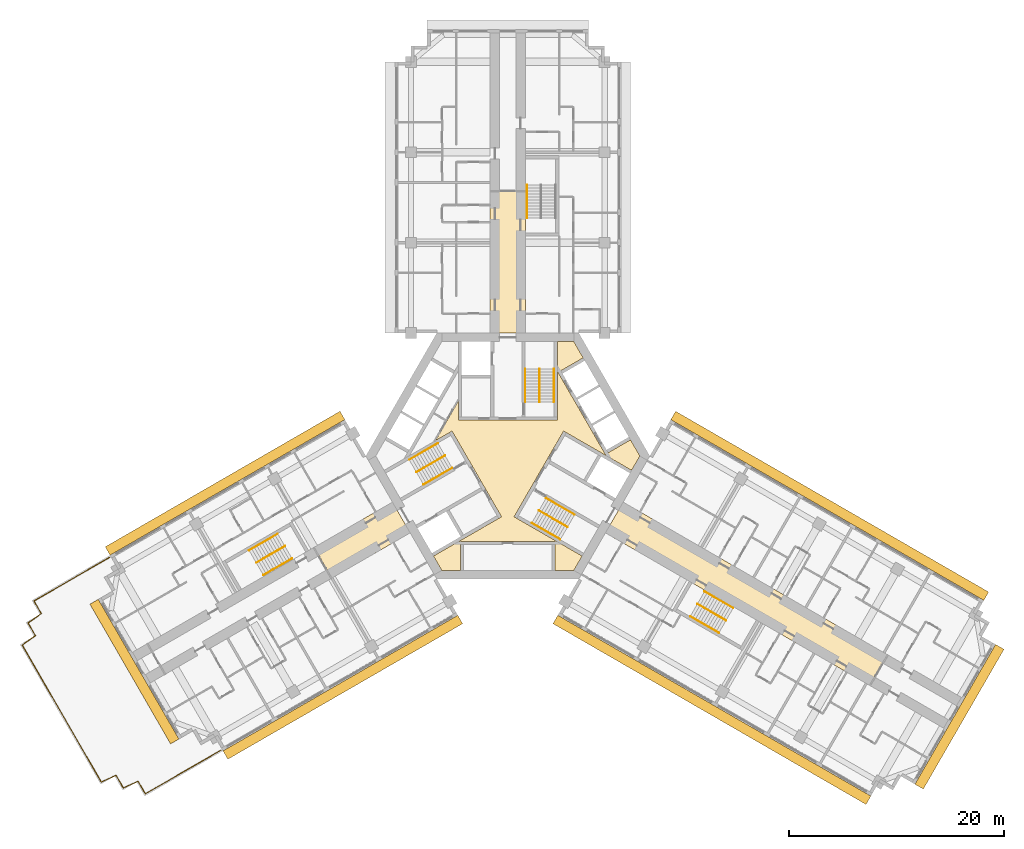
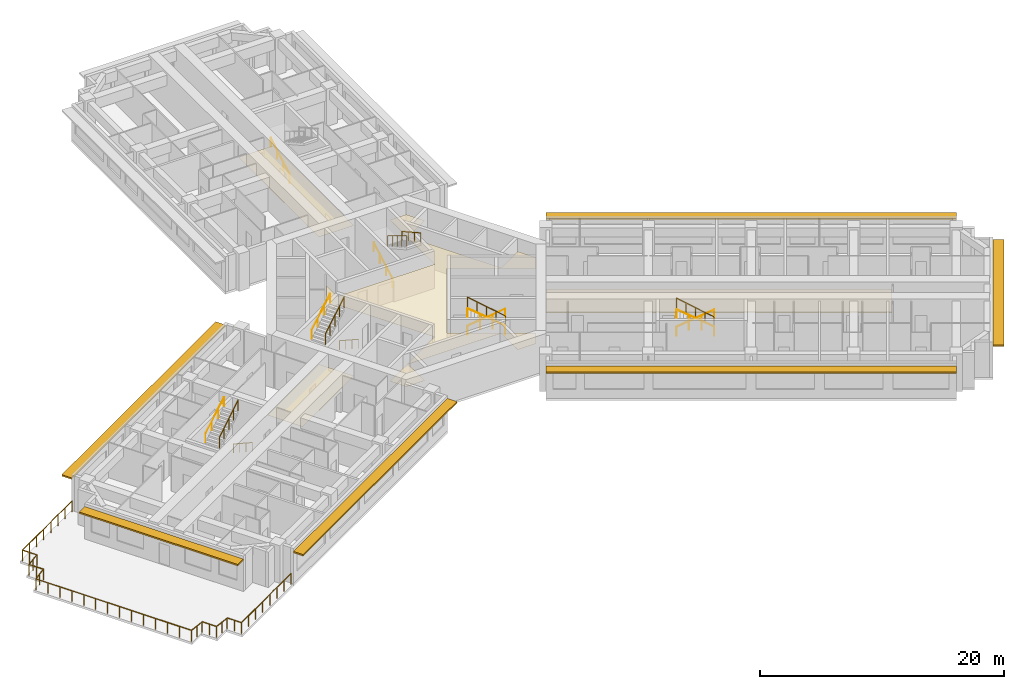
# One storey, part 14 of 15: 17 railings, 4 coverings, 2 shading devices.
"""IFC4 building model written with IfcOpenShell, lengths in metres."""

from ifc_helpers import new_model, si_unit, direction, frame, origin, origin_2d, place, context, subcontext, project, spatial, polyline, rectangle, circle, outline, extrude, material, layer, layer_set, type_object, element, save


model = new_model("IFC4")

# Units and contexts
model_context = context("Model", 3, precision=1e-05, world=origin(), true_north=direction((0.0, 1.0)))
body_context = subcontext(model_context, "Body", "Model", "MODEL_VIEW")
ifc_project = project(units=[si_unit("LENGTHUNIT", "METRE"), si_unit("AREAUNIT", "SQUARE_METRE"), si_unit("VOLUMEUNIT", "CUBIC_METRE"), si_unit("PLANEANGLEUNIT", "RADIAN"), si_unit("MASSUNIT", "GRAM", prefix="KILO")], contexts=[model_context])

# Site, building, storey
site_placement = place(None, origin())
site = spatial("IfcSite", under=ifc_project, at=site_placement, CompositionType="ELEMENT")
building_placement = place(site_placement, origin())
building = spatial("IfcBuilding", under=site, at=building_placement, Name="Impinga Residences", CompositionType="ELEMENT")
storey_placement = place(building_placement, frame((0.0, 0.0, 132.25)))
storey = spatial("IfcBuildingStorey", under=building, at=storey_placement, Name="L32", CompositionType="ELEMENT", Elevation=132.25)

# Coverings
ifc_material_1 = material(Name="Plasterboard 15 mm on steel hangers", Category="steel")
ifc_layer_1 = layer(ifc_material_1, 0.014892578125)
ifc_layer_set_1 = layer_set([ifc_layer_1], Name="Plasterboard 15 mm on steel hangers")
covering_type_1 = type_object("IfcCoveringType", Name="CL1 corridor ceiling, 15 mm plasterboard on hangers", PredefinedType="CEILING", material=ifc_layer_set_1)
covering_1_placement = place(storey_placement, frame((0.0, 0.0, 2.39990234375)))
element("IfcCovering", 1, at=covering_1_placement, inside=storey, type_object=covering_type_1, Name="Corridor ceiling CL1 L32-N00", PredefinedType="CEILING", context=body_context, shape_type="SweptSolid", body=[
    extrude(outline(polyline([(-1.64990234375, 11.431640625), (1.64990234375, 11.431640625), (1.64990234375, 24.58154296875), (-1.64990234375, 24.58154296875), (-1.64990234375, 11.431640625)])), origin(), (0.0, 0.0, 1.0), 0.01513671875),
])
covering_2_placement = place(storey_placement, frame((0.0, 0.0, 2.39990234375)))
element("IfcCovering", 2, at=covering_2_placement, inside=storey, type_object=covering_type_1, Name="Corridor ceiling CL1 L32-W00", PredefinedType="CEILING", context=body_context, shape_type="SweptSolid", body=[
    extrude(outline(polyline([(-10.72509765625, -4.286865234375), (-9.074951171875, -7.144775390625), (-16.35009765625, -11.344970703125), (-18.0, -8.487060546875), (-10.72509765625, -4.286865234375)])), origin(), (0.0, 0.0, 1.0), 0.01513671875),
])
covering_3_placement = place(storey_placement, frame((0.0, 0.0, 2.39990234375)))
element("IfcCovering", 3, at=covering_3_placement, inside=storey, type_object=covering_type_1, Name="Corridor ceiling CL1 L32-E00", PredefinedType="CEILING", context=body_context, shape_type="SweptSolid", body=[
    extrude(outline(polyline([(10.72509765625, -4.286865234375), (9.074951171875, -7.144775390625), (33.626708984375, -21.31982421875), (35.27685546875, -18.4619140625), (10.72509765625, -4.286865234375)])), origin(), (0.0, 0.0, 1.0), 0.01513671875),
])
ifc_material_2 = material(Name="Mineral fibre tiles 20 mm on exposed grid", Category="mineral fibre")
ifc_layer_2 = layer(ifc_material_2, 0.02001953125)
ifc_layer_set_2 = layer_set([ifc_layer_2], Name="CL2 lift lobby ceiling, 20 mm mineral fibre tiles")
covering_type_2 = type_object("IfcCoveringType", Name="CL2 lift lobby ceiling, 20 mm mineral fibre tiles", PredefinedType="CEILING", material=ifc_layer_set_2)
covering_4_placement = place(storey_placement, frame((0.0, 0.0, 2.39990234375)))
element("IfcCovering", 4, at=covering_4_placement, inside=storey, type_object=covering_type_2, Name="Lift lobby ceiling CL2 L32-C01", PredefinedType="CEILING", context=body_context, shape_type="SweptSolid", body=[
    extrude(outline(polyline([(5.183837890625, 2.318603515625), (0.583984375, -5.648681640625), (6.9072265625, -9.299560546875), (6.13818359375, -10.631591796875), (4.39990234375, -10.631591796875), (4.39990234375, -7.931640625), (-4.39990234375, -7.931640625), (-4.39990234375, -10.631591796875), (-6.13818359375, -10.631591796875), (-6.9072265625, -9.299560546875), (-0.583984375, -5.648681640625), (-5.183837890625, 2.318603515625), (-6.712890625, 1.435791015625), (-4.60009765625, 5.095703125), (-4.60009765625, 3.330078125), (4.60009765625, 3.330078125), (4.60009765625, 10.631591796875), (6.13818359375, 10.631591796875), (7.007080078125, 9.126220703125), (4.6689453125, 7.7763671875), (9.06884765625, 0.1552734375), (11.4072265625, 1.50537109375), (12.276123046875, 0.0), (11.507080078125, -1.33203125), (5.183837890625, 2.318603515625)])), origin(), (0.0, 0.0, 1.0), 0.02001953125),
])

# Railings
ifc_material_3 = material(Name="Steel guard, powder coated", Category="steel")
railing_type_1 = type_object("IfcRailingType", Name="GR1 stair guard 1100", PredefinedType="GUARDRAIL", material=ifc_material_3)
railing_1_placement = place(storey_placement, frame((2.949951171875, 8.110107421875, 1.875)))
element("IfcRailing", 5, at=railing_1_placement, inside=storey, type_object=railing_type_1, Name="Stair guard GR1 ST1 L32", PredefinedType="GUARDRAIL", context=body_context, shape_type="SweptSolid", body=[
    extrude(circle(Radius=0.02392578125, at=origin_2d()), frame((0.0, 0.0, 1.076171875), z_axis=(0.0, -0.854177636135, 0.519981313056), x_axis=(1.0, 0.0, 0.0)), (0.0, 0.0, 1.0), 3.60595703125),
    extrude(circle(Radius=0.02099609375, at=origin_2d()), origin(), (0.0, 0.0, 1.0), 1.052001953125),
    extrude(circle(Radius=0.02099609375, at=origin_2d()), frame((0.0, -0.77001953125, 0.46875)), (0.0, 0.0, 1.0), 1.052001953125),
    extrude(circle(Radius=0.02099609375, at=origin_2d()), frame((0.0, -1.5400390625, 0.9375)), (0.0, 0.0, 1.0), 1.052001953125),
    extrude(circle(Radius=0.02099609375, at=origin_2d()), frame((0.0, -2.31005859375, 1.40625)), (0.0, 0.0, 1.0), 1.052001953125),
    extrude(circle(Radius=0.02099609375, at=origin_2d()), frame((0.0, -3.080078125, 1.875)), (0.0, 0.0, 1.0), 1.052001953125),
])
railing_2_placement = place(storey_placement, frame((-8.49853515625, -1.500244140625, 1.875)))
element("IfcRailing", 6, at=railing_2_placement, inside=storey, type_object=railing_type_1, Name="Stair guard GR1 ST2 L32", PredefinedType="GUARDRAIL", context=body_context, shape_type="SweptSolid", body=[
    extrude(circle(Radius=0.02392578125, at=origin_2d()), frame((0.0, 0.0, 1.076171875), z_axis=(0.739746383972, 0.427084037168, 0.519975492303), x_axis=(-0.499992328818, 0.866029832698, 0.0)), (0.0, 0.0, 1.0), 3.60595703125),
    extrude(circle(Radius=0.02099609375, at=origin_2d()), origin(), (0.0, 0.0, 1.0), 1.052001953125),
    extrude(circle(Radius=0.02099609375, at=origin_2d()), frame((0.6669921875, 0.385009765625, 0.46875)), (0.0, 0.0, 1.0), 1.052001953125),
    extrude(circle(Radius=0.02099609375, at=origin_2d()), frame((1.333740234375, 0.77001953125, 0.9375)), (0.0, 0.0, 1.0), 1.052001953125),
    extrude(circle(Radius=0.02099609375, at=origin_2d()), frame((2.00048828125, 1.155029296875, 1.40625)), (0.0, 0.0, 1.0), 1.052001953125),
    extrude(circle(Radius=0.02099609375, at=origin_2d()), frame((2.66748046875, 1.5400390625, 1.875)), (0.0, 0.0, 1.0), 1.052001953125),
])
railing_3_placement = place(storey_placement, frame((5.548583984375, -6.60986328125, 1.875)))
element("IfcRailing", 7, at=railing_3_placement, inside=storey, type_object=railing_type_1, Name="Stair guard GR1 ST3 L32", PredefinedType="GUARDRAIL", context=body_context, shape_type="SweptSolid", body=[
    extrude(circle(Radius=0.02392578125, at=origin_2d()), frame((0.0, 0.0, 1.076171875), z_axis=(-0.739746383972, 0.427084037168, 0.519975492303), x_axis=(-0.499992328818, -0.866029832698, 0.0)), (0.0, 0.0, 1.0), 3.60595703125),
    extrude(circle(Radius=0.02099609375, at=origin_2d()), origin(), (0.0, 0.0, 1.0), 1.052001953125),
    extrude(circle(Radius=0.02099609375, at=origin_2d()), frame((-0.6669921875, 0.385009765625, 0.46875)), (0.0, 0.0, 1.0), 1.052001953125),
    extrude(circle(Radius=0.02099609375, at=origin_2d()), frame((-1.333740234375, 0.77001953125, 0.9375)), (0.0, 0.0, 1.0), 1.052001953125),
    extrude(circle(Radius=0.02099609375, at=origin_2d()), frame((-2.00048828125, 1.155029296875, 1.40625)), (0.0, 0.0, 1.0), 1.052001953125),
    extrude(circle(Radius=0.02099609375, at=origin_2d()), frame((-2.66748046875, 1.5400390625, 1.875)), (0.0, 0.0, 1.0), 1.052001953125),
])
railing_4_placement = place(storey_placement, frame((-23.3837890625, -9.921142578125, 1.875)))
element("IfcRailing", 8, at=railing_4_placement, inside=storey, type_object=railing_type_1, Name="Stair guard GR1 WS2 L32", PredefinedType="GUARDRAIL", context=body_context, shape_type="SweptSolid", body=[
    extrude(circle(Radius=0.02392578125, at=origin_2d()), frame((0.0, 0.0, 1.076171875), z_axis=(0.739715726454, 0.427105428144, 0.52000153585), x_axis=(-0.500026652407, 0.866010015463, 0.0)), (0.0, 0.0, 1.0), 3.605712890625),
    extrude(circle(Radius=0.02099609375, at=origin_2d()), origin(), (0.0, 0.0, 1.0), 1.052001953125),
    extrude(circle(Radius=0.02099609375, at=origin_2d()), frame((0.666748046875, 0.385009765625, 0.46875)), (0.0, 0.0, 1.0), 1.052001953125),
    extrude(circle(Radius=0.02099609375, at=origin_2d()), frame((1.33349609375, 0.77001953125, 0.9375)), (0.0, 0.0, 1.0), 1.052001953125),
    extrude(circle(Radius=0.02099609375, at=origin_2d()), frame((2.00048828125, 1.155029296875, 1.40625)), (0.0, 0.0, 1.0), 1.052001953125),
    extrude(circle(Radius=0.02099609375, at=origin_2d()), frame((2.667236328125, 1.5400390625, 1.875)), (0.0, 0.0, 1.0), 1.052001953125),
])
railing_5_placement = place(storey_placement, frame((20.283935546875, -15.29052734375, 1.875)))
element("IfcRailing", 9, at=railing_5_placement, inside=storey, type_object=railing_type_1, Name="Stair guard GR1 WS3 L32", PredefinedType="GUARDRAIL", context=body_context, shape_type="SweptSolid", body=[
    extrude(circle(Radius=0.02392578125, at=origin_2d()), frame((0.0, 0.0, 1.076171875), z_axis=(-0.739746383972, 0.427084037168, 0.519975492303), x_axis=(-0.499992328818, -0.866029832698, 0.0)), (0.0, 0.0, 1.0), 3.60595703125),
    extrude(circle(Radius=0.02099609375, at=origin_2d()), origin(), (0.0, 0.0, 1.0), 1.052001953125),
    extrude(circle(Radius=0.02099609375, at=origin_2d()), frame((-0.6669921875, 0.385009765625, 0.46875)), (0.0, 0.0, 1.0), 1.052001953125),
    extrude(circle(Radius=0.02099609375, at=origin_2d()), frame((-1.333740234375, 0.77001953125, 0.9375)), (0.0, 0.0, 1.0), 1.052001953125),
    extrude(circle(Radius=0.02099609375, at=origin_2d()), frame((-2.00048828125, 1.155029296875, 1.40625)), (0.0, 0.0, 1.0), 1.052001953125),
    extrude(circle(Radius=0.02099609375, at=origin_2d()), frame((-2.66748046875, 1.5400390625, 1.875)), (0.0, 0.0, 1.0), 1.052001953125),
])
ifc_material_4 = material(Name="Laminated glass guard, stainless steel top rail", Category="steel")
railing_type_2 = type_object("IfcRailingType", Name="GT1 terrace guard 1100, glass infill", PredefinedType="GUARDRAIL", material=ifc_material_4)
railing_6_placement = place(storey_placement, frame((-26.6796875, -27.354736328125, 0.0)))
element("IfcRailing", 10, at=railing_6_placement, inside=storey, type_object=railing_type_2, Name="Terrace guard GT1 L32", PredefinedType="GUARDRAIL", context=body_context, shape_type="SweptSolid", body=[
    extrude(circle(Radius=0.02392578125, at=origin_2d()), frame((0.0, 0.0, 1.076171875), z_axis=(-0.866034487114, -0.499984266882, 0.0), x_axis=(0.499984266882, -0.866034487114, 0.0)), (0.0, 0.0, 1.0), 8.098876953125),
    extrude(circle(Radius=0.02392578125, at=origin_2d()), frame((-7.013916015625, -4.04931640625, 1.076171875), z_axis=(-0.50008774942, 0.865974735705, 0.0), x_axis=(-0.865974735705, -0.50008774942, 0.0)), (0.0, 0.0, 1.0), 1.349853515625),
    extrude(circle(Radius=0.02392578125, at=origin_2d()), frame((-7.68896484375, -2.88037109375, 1.076171875), z_axis=(-0.911533192379, -0.411226505944, 0.0), x_axis=(0.411226505944, -0.911533192379, 0.0)), (0.0, 0.0, 1.0), 1.50732421875),
    extrude(circle(Radius=0.02392578125, at=origin_2d()), frame((-9.06298828125, -3.500244140625, 1.076171875), z_axis=(-0.499952099219, 0.866053057547, 0.0), x_axis=(-0.866053057547, -0.499952099219, 0.0)), (0.0, 0.0, 1.0), 1.349853515625),
    extrude(circle(Radius=0.02392578125, at=origin_2d()), frame((-9.73779296875, -2.331298828125, 1.076171875), z_axis=(-0.911499874161, -0.411300351816, 0.0), x_axis=(0.411300351816, -0.911499874161, 0.0)), (0.0, 0.0, 1.0), 1.5078125),
    extrude(circle(Radius=0.02392578125, at=origin_2d()), frame((-11.112060546875, -2.951416015625, 1.076171875), z_axis=(-0.499988418424, 0.866032090307, 0.0), x_axis=(-0.866032090307, -0.499988418424, 0.0)), (0.0, 0.0, 1.0), 14.699951171875),
    extrude(circle(Radius=0.02392578125, at=origin_2d()), frame((-18.4619140625, 9.779296875, 1.076171875), z_axis=(0.812000980464, 0.583656069723, 0.0), x_axis=(-0.583656069723, 0.812000980464, 0.0)), (0.0, 0.0, 1.0), 1.507568359375),
    extrude(circle(Radius=0.02392578125, at=origin_2d()), frame((-17.23779296875, 10.6591796875, 1.076171875), z_axis=(-0.50000943426, 0.866019956843, 0.0), x_axis=(-0.866019956843, -0.50000943426, 0.0)), (0.0, 0.0, 1.0), 1.35009765625),
    extrude(circle(Radius=0.02392578125, at=origin_2d()), frame((-17.912841796875, 11.828369140625, 1.076171875), z_axis=(0.811945801708, 0.583732828517, 0.0), x_axis=(-0.583732828517, 0.811945801708, 0.0)), (0.0, 0.0, 1.0), 1.50732421875),
    extrude(circle(Radius=0.02392578125, at=origin_2d()), frame((-16.68896484375, 12.708251953125, 1.076171875), z_axis=(-0.499873791142, 0.866098258242, 0.0), x_axis=(-0.866098258242, -0.499873791142, 0.0)), (0.0, 0.0, 1.0), 1.349853515625),
    extrude(circle(Radius=0.02392578125, at=origin_2d()), frame((-17.36376953125, 13.87744140625, 1.076171875), z_axis=(0.866034487114, 0.499984266882, 0.0), x_axis=(-0.499984266882, 0.866034487114, 0.0)), (0.0, 0.0, 1.0), 8.098876953125),
    extrude(circle(Radius=0.02099609375, at=origin_2d()), origin(), (0.0, 0.0, 1.0), 1.052001953125),
    extrude(circle(Radius=0.02099609375, at=origin_2d()), frame((-1.001953125, -0.578369140625, 0.0)), (0.0, 0.0, 1.0), 1.052001953125),
    extrude(circle(Radius=0.02099609375, at=origin_2d()), frame((-2.00390625, -1.156982421875, 0.0)), (0.0, 0.0, 1.0), 1.052001953125),
    extrude(circle(Radius=0.02099609375, at=origin_2d()), frame((-3.005859375, -1.7353515625, 0.0)), (0.0, 0.0, 1.0), 1.052001953125),
    extrude(circle(Radius=0.02099609375, at=origin_2d()), frame((-4.008056640625, -2.31396484375, 0.0)), (0.0, 0.0, 1.0), 1.052001953125),
    extrude(circle(Radius=0.02099609375, at=origin_2d()), frame((-5.010009765625, -2.892333984375, 0.0)), (0.0, 0.0, 1.0), 1.052001953125),
    extrude(circle(Radius=0.02099609375, at=origin_2d()), frame((-6.011962890625, -3.470947265625, 0.0)), (0.0, 0.0, 1.0), 1.052001953125),
    extrude(circle(Radius=0.02099609375, at=origin_2d()), frame((-7.013916015625, -4.04931640625, 0.0)), (0.0, 0.0, 1.0), 1.052001953125),
    extrude(circle(Radius=0.02099609375, at=origin_2d()), frame((-7.3515625, -3.46484375, 0.0)), (0.0, 0.0, 1.0), 1.052001953125),
    extrude(circle(Radius=0.02099609375, at=origin_2d()), frame((-7.68896484375, -2.88037109375, 0.0)), (0.0, 0.0, 1.0), 1.052001953125),
    extrude(circle(Radius=0.02099609375, at=origin_2d()), frame((-8.3759765625, -3.1904296875, 0.0)), (0.0, 0.0, 1.0), 1.052001953125),
    extrude(circle(Radius=0.02099609375, at=origin_2d()), frame((-9.06298828125, -3.500244140625, 0.0)), (0.0, 0.0, 1.0), 1.052001953125),
    extrude(circle(Radius=0.02099609375, at=origin_2d()), frame((-9.400390625, -2.915771484375, 0.0)), (0.0, 0.0, 1.0), 1.052001953125),
    extrude(circle(Radius=0.02099609375, at=origin_2d()), frame((-9.73779296875, -2.331298828125, 0.0)), (0.0, 0.0, 1.0), 1.052001953125),
    extrude(circle(Radius=0.02099609375, at=origin_2d()), frame((-10.4248046875, -2.641357421875, 0.0)), (0.0, 0.0, 1.0), 1.052001953125),
    extrude(circle(Radius=0.02099609375, at=origin_2d()), frame((-11.112060546875, -2.951416015625, 0.0)), (0.0, 0.0, 1.0), 1.052001953125),
    extrude(circle(Radius=0.02099609375, at=origin_2d()), frame((-11.677490234375, -1.97216796875, 0.0)), (0.0, 0.0, 1.0), 1.052001953125),
    extrude(circle(Radius=0.02099609375, at=origin_2d()), frame((-12.242919921875, -0.992919921875, 0.0)), (0.0, 0.0, 1.0), 1.052001953125),
    extrude(circle(Radius=0.02099609375, at=origin_2d()), frame((-12.80810546875, -0.013671875, 0.0)), (0.0, 0.0, 1.0), 1.052001953125),
    extrude(circle(Radius=0.02099609375, at=origin_2d()), frame((-13.37353515625, 0.9658203125, 0.0)), (0.0, 0.0, 1.0), 1.052001953125),
    extrude(circle(Radius=0.02099609375, at=origin_2d()), frame((-13.93896484375, 1.945068359375, 0.0)), (0.0, 0.0, 1.0), 1.052001953125),
    extrude(circle(Radius=0.02099609375, at=origin_2d()), frame((-14.50439453125, 2.92431640625, 0.0)), (0.0, 0.0, 1.0), 1.052001953125),
    extrude(circle(Radius=0.02099609375, at=origin_2d()), frame((-15.069580078125, 3.903564453125, 0.0)), (0.0, 0.0, 1.0), 1.052001953125),
    extrude(circle(Radius=0.02099609375, at=origin_2d()), frame((-15.635009765625, 4.8828125, 0.0)), (0.0, 0.0, 1.0), 1.052001953125),
    extrude(circle(Radius=0.02099609375, at=origin_2d()), frame((-16.200439453125, 5.862060546875, 0.0)), (0.0, 0.0, 1.0), 1.052001953125),
    extrude(circle(Radius=0.02099609375, at=origin_2d()), frame((-16.765869140625, 6.841552734375, 0.0)), (0.0, 0.0, 1.0), 1.052001953125),
    extrude(circle(Radius=0.02099609375, at=origin_2d()), frame((-17.3310546875, 7.82080078125, 0.0)), (0.0, 0.0, 1.0), 1.052001953125),
    extrude(circle(Radius=0.02099609375, at=origin_2d()), frame((-17.896484375, 8.800048828125, 0.0)), (0.0, 0.0, 1.0), 1.052001953125),
    extrude(circle(Radius=0.02099609375, at=origin_2d()), frame((-18.4619140625, 9.779296875, 0.0)), (0.0, 0.0, 1.0), 1.052001953125),
    extrude(circle(Radius=0.02099609375, at=origin_2d()), frame((-17.849853515625, 10.21923828125, 0.0)), (0.0, 0.0, 1.0), 1.052001953125),
    extrude(circle(Radius=0.02099609375, at=origin_2d()), frame((-17.23779296875, 10.6591796875, 0.0)), (0.0, 0.0, 1.0), 1.052001953125),
    extrude(circle(Radius=0.02099609375, at=origin_2d()), frame((-17.5751953125, 11.24365234375, 0.0)), (0.0, 0.0, 1.0), 1.052001953125),
    extrude(circle(Radius=0.02099609375, at=origin_2d()), frame((-17.912841796875, 11.828369140625, 0.0)), (0.0, 0.0, 1.0), 1.052001953125),
    extrude(circle(Radius=0.02099609375, at=origin_2d()), frame((-17.30078125, 12.268310546875, 0.0)), (0.0, 0.0, 1.0), 1.052001953125),
    extrude(circle(Radius=0.02099609375, at=origin_2d()), frame((-16.68896484375, 12.708251953125, 0.0)), (0.0, 0.0, 1.0), 1.052001953125),
    extrude(circle(Radius=0.02099609375, at=origin_2d()), frame((-17.0263671875, 13.29296875, 0.0)), (0.0, 0.0, 1.0), 1.052001953125),
    extrude(circle(Radius=0.02099609375, at=origin_2d()), frame((-17.36376953125, 13.87744140625, 0.0)), (0.0, 0.0, 1.0), 1.052001953125),
    extrude(circle(Radius=0.02099609375, at=origin_2d()), frame((-16.36181640625, 14.455810546875, 0.0)), (0.0, 0.0, 1.0), 1.052001953125),
    extrude(circle(Radius=0.02099609375, at=origin_2d()), frame((-15.35986328125, 15.034423828125, 0.0)), (0.0, 0.0, 1.0), 1.052001953125),
    extrude(circle(Radius=0.02099609375, at=origin_2d()), frame((-14.35791015625, 15.61279296875, 0.0)), (0.0, 0.0, 1.0), 1.052001953125),
    extrude(circle(Radius=0.02099609375, at=origin_2d()), frame((-13.355712890625, 16.19140625, 0.0)), (0.0, 0.0, 1.0), 1.052001953125),
    extrude(circle(Radius=0.02099609375, at=origin_2d()), frame((-12.353759765625, 16.769775390625, 0.0)), (0.0, 0.0, 1.0), 1.052001953125),
    extrude(circle(Radius=0.02099609375, at=origin_2d()), frame((-11.351806640625, 17.348388671875, 0.0)), (0.0, 0.0, 1.0), 1.052001953125),
    extrude(circle(Radius=0.02099609375, at=origin_2d()), frame((-10.349853515625, 17.9267578125, 0.0)), (0.0, 0.0, 1.0), 1.052001953125),
])
ifc_material_5 = material(Name="Steel handrail tube 42 mm, powder coated", Category="steel")
railing_type_3 = type_object("IfcRailingType", Name="HR1 stair handrail, 42 mm steel tube, 900 above the pitch line", PredefinedType="HANDRAIL", material=ifc_material_5)
railing_7_placement = place(storey_placement, frame((1.62109375, 5.030029296875, 0.15625)))
element("IfcRailing", 11, at=railing_7_placement, inside=storey, type_object=railing_type_3, Name="Stair handrail HR1 ST1 L32", PredefinedType="HANDRAIL", context=body_context, shape_type="SweptSolid", body=[
    extrude(circle(Radius=0.02099609375, at=origin_2d()), frame((0.0, 0.0, 0.87890625), z_axis=(0.0, 0.873241540666, 0.487287606713), x_axis=(-1.0, 0.0, 0.0)), (0.0, 0.0, 1.0), 3.527099609375),
    extrude(circle(Radius=0.012451171875, at=origin_2d()), origin(), (0.0, 0.0, 1.0), 0.85791015625),
    extrude(circle(Radius=0.012451171875, at=origin_2d()), frame((0.0, 1.026611328125, 0.572998046875)), (0.0, 0.0, 1.0), 0.85791015625),
    extrude(circle(Radius=0.012451171875, at=origin_2d()), frame((0.0, 2.053466796875, 1.145751953125)), (0.0, 0.0, 1.0), 0.85791015625),
    extrude(circle(Radius=0.012451171875, at=origin_2d()), frame((0.0, 3.080078125, 1.71875)), (0.0, 0.0, 1.0), 0.85791015625),
])
railing_8_placement = place(storey_placement, frame((4.279052734375, 8.110107421875, 2.03125)))
element("IfcRailing", 12, at=railing_8_placement, inside=storey, type_object=railing_type_3, Name="Stair handrail HR1 ST1 L32", PredefinedType="HANDRAIL", context=body_context, shape_type="SweptSolid", body=[
    extrude(circle(Radius=0.02099609375, at=origin_2d()), frame((0.0, 0.0, 0.87890625), z_axis=(0.0, -0.873241540666, 0.487287606713), x_axis=(1.0, 0.0, 0.0)), (0.0, 0.0, 1.0), 3.527099609375),
    extrude(circle(Radius=0.012451171875, at=origin_2d()), origin(), (0.0, 0.0, 1.0), 0.85791015625),
    extrude(circle(Radius=0.012451171875, at=origin_2d()), frame((0.0, -1.026611328125, 0.572998046875)), (0.0, 0.0, 1.0), 0.85791015625),
    extrude(circle(Radius=0.012451171875, at=origin_2d()), frame((0.0, -2.053466796875, 1.145751953125)), (0.0, 0.0, 1.0), 0.85791015625),
    extrude(circle(Radius=0.012451171875, at=origin_2d()), frame((0.0, -3.080078125, 1.71875)), (0.0, 0.0, 1.0), 0.85791015625),
])
railing_9_placement = place(storey_placement, frame((-5.16650390625, -1.111083984375, 0.15625)))
element("IfcRailing", 13, at=railing_9_placement, inside=storey, type_object=railing_type_3, Name="Stair handrail HR1 ST2 L32", PredefinedType="HANDRAIL", context=body_context, shape_type="SweptSolid", body=[
    extrude(circle(Radius=0.02099609375, at=origin_2d()), frame((0.0, 0.0, 0.87890625), z_axis=(-0.756255980417, -0.436615662133, 0.487281905742), x_axis=(0.499992328818, -0.866029832698, 0.0)), (0.0, 0.0, 1.0), 3.527099609375),
    extrude(circle(Radius=0.012451171875, at=origin_2d()), origin(), (0.0, 0.0, 1.0), 0.85791015625),
    extrude(circle(Radius=0.012451171875, at=origin_2d()), frame((-0.88916015625, -0.513427734375, 0.572998046875)), (0.0, 0.0, 1.0), 0.85791015625),
    extrude(circle(Radius=0.012451171875, at=origin_2d()), frame((-1.7783203125, -1.026611328125, 1.145751953125)), (0.0, 0.0, 1.0), 0.85791015625),
    extrude(circle(Radius=0.012451171875, at=origin_2d()), frame((-2.66748046875, -1.5400390625, 1.71875)), (0.0, 0.0, 1.0), 0.85791015625),
])
railing_10_placement = place(storey_placement, frame((-9.1630859375, -0.349365234375, 2.03125)))
element("IfcRailing", 14, at=railing_10_placement, inside=storey, type_object=railing_type_3, Name="Stair handrail HR1 ST2 L32", PredefinedType="HANDRAIL", context=body_context, shape_type="SweptSolid", body=[
    extrude(circle(Radius=0.02099609375, at=origin_2d()), frame((0.0, 0.0, 0.87890625), z_axis=(0.756255980417, 0.436615662133, 0.487281905742), x_axis=(-0.499992328818, 0.866029832698, 0.0)), (0.0, 0.0, 1.0), 3.527099609375),
    extrude(circle(Radius=0.012451171875, at=origin_2d()), origin(), (0.0, 0.0, 1.0), 0.85791015625),
    extrude(circle(Radius=0.012451171875, at=origin_2d()), frame((0.88916015625, 0.513427734375, 0.572998046875)), (0.0, 0.0, 1.0), 0.85791015625),
    extrude(circle(Radius=0.012451171875, at=origin_2d()), frame((1.7783203125, 1.026611328125, 1.145751953125)), (0.0, 0.0, 1.0), 0.85791015625),
    extrude(circle(Radius=0.012451171875, at=origin_2d()), frame((2.66748046875, 1.5400390625, 1.71875)), (0.0, 0.0, 1.0), 0.85791015625),
])
railing_11_placement = place(storey_placement, frame((3.545654296875, -3.9189453125, 0.15625)))
element("IfcRailing", 15, at=railing_11_placement, inside=storey, type_object=railing_type_3, Name="Stair handrail HR1 ST3 L32", PredefinedType="HANDRAIL", context=body_context, shape_type="SweptSolid", body=[
    extrude(circle(Radius=0.02099609375, at=origin_2d()), frame((0.0, 0.0, 0.87890625), z_axis=(0.756249203677, -0.436582492228, 0.487322141317), x_axis=(0.499967199496, 0.866044340336, 0.0)), (0.0, 0.0, 1.0), 3.52685546875),
    extrude(circle(Radius=0.012451171875, at=origin_2d()), origin(), (0.0, 0.0, 1.0), 0.85791015625),
    extrude(circle(Radius=0.012451171875, at=origin_2d()), frame((0.88916015625, -0.51318359375, 0.572998046875)), (0.0, 0.0, 1.0), 0.85791015625),
    extrude(circle(Radius=0.012451171875, at=origin_2d()), frame((1.778076171875, -1.026611328125, 1.145751953125)), (0.0, 0.0, 1.0), 0.85791015625),
    extrude(circle(Radius=0.012451171875, at=origin_2d()), frame((2.667236328125, -1.539794921875, 1.71875)), (0.0, 0.0, 1.0), 0.85791015625),
])
railing_12_placement = place(storey_placement, frame((4.884033203125, -7.7607421875, 2.03125)))
element("IfcRailing", 16, at=railing_12_placement, inside=storey, type_object=railing_type_3, Name="Stair handrail HR1 ST3 L32", PredefinedType="HANDRAIL", context=body_context, shape_type="SweptSolid", body=[
    extrude(circle(Radius=0.02099609375, at=origin_2d()), frame((0.0, 0.0, 0.87890625), z_axis=(-0.756255980417, 0.436615662133, 0.487281905742), x_axis=(-0.499992328818, -0.866029832698, 0.0)), (0.0, 0.0, 1.0), 3.527099609375),
    extrude(circle(Radius=0.012451171875, at=origin_2d()), origin(), (0.0, 0.0, 1.0), 0.85791015625),
    extrude(circle(Radius=0.012451171875, at=origin_2d()), frame((-0.88916015625, 0.513427734375, 0.572998046875)), (0.0, 0.0, 1.0), 0.85791015625),
    extrude(circle(Radius=0.012451171875, at=origin_2d()), frame((-1.7783203125, 1.026611328125, 1.145751953125)), (0.0, 0.0, 1.0), 0.85791015625),
    extrude(circle(Radius=0.012451171875, at=origin_2d()), frame((-2.66748046875, 1.5400390625, 1.71875)), (0.0, 0.0, 1.0), 0.85791015625),
])
railing_13_placement = place(storey_placement, frame((1.77099609375, 22.131591796875, 0.15625)))
element("IfcRailing", 17, at=railing_13_placement, inside=storey, type_object=railing_type_3, Name="Stair handrail HR1 WS1 L32", PredefinedType="HANDRAIL", context=body_context, shape_type="SweptSolid", body=[
    extrude(circle(Radius=0.02099609375, at=origin_2d()), frame((0.0, 0.0, 0.87890625), z_axis=(0.0, 0.873225103656, 0.487317061414), x_axis=(-1.0, 0.0, 0.0)), (0.0, 0.0, 1.0), 3.52685546875),
    extrude(circle(Radius=0.012451171875, at=origin_2d()), origin(), (0.0, 0.0, 1.0), 0.85791015625),
    extrude(circle(Radius=0.012451171875, at=origin_2d()), frame((0.0, 1.026611328125, 0.572998046875)), (0.0, 0.0, 1.0), 0.85791015625),
    extrude(circle(Radius=0.012451171875, at=origin_2d()), frame((0.0, 2.05322265625, 1.145751953125)), (0.0, 0.0, 1.0), 0.85791015625),
    extrude(circle(Radius=0.012451171875, at=origin_2d()), frame((0.0, 3.079833984375, 1.71875)), (0.0, 0.0, 1.0), 0.85791015625),
])
railing_14_placement = place(storey_placement, frame((-20.052001953125, -9.531982421875, 0.15625)))
element("IfcRailing", 18, at=railing_14_placement, inside=storey, type_object=railing_type_3, Name="Stair handrail HR1 WS2 L32", PredefinedType="HANDRAIL", context=body_context, shape_type="SweptSolid", body=[
    extrude(circle(Radius=0.02099609375, at=origin_2d()), frame((0.0, 0.0, 0.87890625), z_axis=(-0.756226348243, -0.436638517594, 0.487307413422), x_axis=(0.500026652407, -0.866010015463, 0.0)), (0.0, 0.0, 1.0), 3.527099609375),
    extrude(circle(Radius=0.012451171875, at=origin_2d()), origin(), (0.0, 0.0, 1.0), 0.85791015625),
    extrude(circle(Radius=0.012451171875, at=origin_2d()), frame((-0.88916015625, -0.513427734375, 0.572998046875)), (0.0, 0.0, 1.0), 0.85791015625),
    extrude(circle(Radius=0.012451171875, at=origin_2d()), frame((-1.778076171875, -1.026611328125, 1.145751953125)), (0.0, 0.0, 1.0), 0.85791015625),
    extrude(circle(Radius=0.012451171875, at=origin_2d()), frame((-2.667236328125, -1.5400390625, 1.71875)), (0.0, 0.0, 1.0), 0.85791015625),
])
railing_15_placement = place(storey_placement, frame((-24.04833984375, -8.77001953125, 2.03125)))
element("IfcRailing", 19, at=railing_15_placement, inside=storey, type_object=railing_type_3, Name="Stair handrail HR1 WS2 L32", PredefinedType="HANDRAIL", context=body_context, shape_type="SweptSolid", body=[
    extrude(circle(Radius=0.02099609375, at=origin_2d()), frame((0.0, 0.0, 0.87890625), z_axis=(0.756278834354, 0.436559638319, 0.487296631324), x_axis=(-0.499932877268, 0.866064153644, 0.0)), (0.0, 0.0, 1.0), 3.527099609375),
    extrude(circle(Radius=0.012451171875, at=origin_2d()), origin(), (0.0, 0.0, 1.0), 0.85791015625),
    extrude(circle(Radius=0.012451171875, at=origin_2d()), frame((0.88916015625, 0.51318359375, 0.572998046875)), (0.0, 0.0, 1.0), 0.85791015625),
    extrude(circle(Radius=0.012451171875, at=origin_2d()), frame((1.7783203125, 1.026611328125, 1.145751953125)), (0.0, 0.0, 1.0), 0.85791015625),
    extrude(circle(Radius=0.012451171875, at=origin_2d()), frame((2.66748046875, 1.539794921875, 1.71875)), (0.0, 0.0, 1.0), 0.85791015625),
])
railing_16_placement = place(storey_placement, frame((18.281005859375, -12.599609375, 0.15625)))
element("IfcRailing", 20, at=railing_16_placement, inside=storey, type_object=railing_type_3, Name="Stair handrail HR1 WS3 L32", PredefinedType="HANDRAIL", context=body_context, shape_type="SweptSolid", body=[
    extrude(circle(Radius=0.02099609375, at=origin_2d()), frame((0.0, 0.0, 0.87890625), z_axis=(0.756249203677, -0.436582492228, 0.487322141317), x_axis=(0.499967199496, 0.866044340336, 0.0)), (0.0, 0.0, 1.0), 3.52685546875),
    extrude(circle(Radius=0.012451171875, at=origin_2d()), origin(), (0.0, 0.0, 1.0), 0.85791015625),
    extrude(circle(Radius=0.012451171875, at=origin_2d()), frame((0.88916015625, -0.51318359375, 0.572998046875)), (0.0, 0.0, 1.0), 0.85791015625),
    extrude(circle(Radius=0.012451171875, at=origin_2d()), frame((1.778076171875, -1.026611328125, 1.145751953125)), (0.0, 0.0, 1.0), 0.85791015625),
    extrude(circle(Radius=0.012451171875, at=origin_2d()), frame((2.667236328125, -1.539794921875, 1.71875)), (0.0, 0.0, 1.0), 0.85791015625),
])
railing_17_placement = place(storey_placement, frame((19.619384765625, -16.44140625, 2.03125)))
element("IfcRailing", 21, at=railing_17_placement, inside=storey, type_object=railing_type_3, Name="Stair handrail HR1 WS3 L32", PredefinedType="HANDRAIL", context=body_context, shape_type="SweptSolid", body=[
    extrude(circle(Radius=0.02099609375, at=origin_2d()), frame((0.0, 0.0, 0.87890625), z_axis=(-0.756255980417, 0.436615662133, 0.487281905742), x_axis=(-0.499992328818, -0.866029832698, 0.0)), (0.0, 0.0, 1.0), 3.527099609375),
    extrude(circle(Radius=0.012451171875, at=origin_2d()), origin(), (0.0, 0.0, 1.0), 0.85791015625),
    extrude(circle(Radius=0.012451171875, at=origin_2d()), frame((-0.88916015625, 0.513427734375, 0.572998046875)), (0.0, 0.0, 1.0), 0.85791015625),
    extrude(circle(Radius=0.012451171875, at=origin_2d()), frame((-1.7783203125, 1.026611328125, 1.145751953125)), (0.0, 0.0, 1.0), 0.85791015625),
    extrude(circle(Radius=0.012451171875, at=origin_2d()), frame((-2.66748046875, 1.5400390625, 1.71875)), (0.0, 0.0, 1.0), 0.85791015625),
])

# Shading devices
ifc_material_6 = material(Name="Terracotta sunshade blades on aluminium brackets", Category="masonry")
ifc_layer_3 = layer(ifc_material_6, 0.14990234375)
ifc_layer_set_3 = layer_set([ifc_layer_3], Name="SS1 SUNSHADE terracotta sunshade band 900")
shading_device_type = type_object("IfcShadingDeviceType", Name="SS1 SUNSHADE terracotta sunshade band 900", PredefinedType="USERDEFINED", material=ifc_layer_set_3)
shading_device_1_placement = place(storey_placement, frame((-15.3369140625, -21.498779296875, 3.10009765625), z_axis=(0.0, 0.0, 1.0), x_axis=(-0.866025403784, -0.5, 0.0)))
element("IfcShadingDevice", 22, at=shading_device_1_placement, inside=storey, type_object=shading_device_type, Name="SUNSHADE band L32 WEST WING", ObjectType="SUNSHADE", PredefinedType="USERDEFINED", context=body_context, shape_type="SweptSolid", body=[
    extrude(rectangle(XDim=25.199951171875, YDim=0.89990234375, at=origin_2d()), origin(), (0.0, 0.0, 1.0), 0.14990234375),
    extrude(rectangle(XDim=15.0, YDim=0.89990234375, at=origin_2d()), frame((16.050048828125, -10.949951171875, 0.0), z_axis=(0.0, 0.0, 1.0), x_axis=(0.0, -1.0, 0.0)), (0.0, 0.0, 1.0), 0.14990234375),
    extrude(rectangle(XDim=25.199951171875, YDim=0.89990234375, at=origin_2d()), frame((0.0, -21.900146484375, 0.0), z_axis=(0.0, 0.0, 1.0), x_axis=(-1.0, 0.0, 0.0)), (0.0, 0.0, 1.0), 0.14990234375),
])
shading_device_2_placement = place(storey_placement, frame((41.986328125, -24.24072265625, 3.10009765625), z_axis=(0.0, 0.0, 1.0), x_axis=(-0.5, -0.866025403784, 0.0)))
element("IfcShadingDevice", 23, at=shading_device_2_placement, inside=storey, type_object=shading_device_type, Name="SUNSHADE band L32 EAST WING", ObjectType="SUNSHADE", PredefinedType="USERDEFINED", context=body_context, shape_type="SweptSolid", body=[
    extrude(rectangle(XDim=15.0, YDim=0.89990234375, at=origin_2d()), origin(), (0.0, 0.0, 1.0), 0.14990234375),
    extrude(rectangle(XDim=33.60009765625, YDim=0.89990234375, at=origin_2d()), frame((10.949951171875, -20.250244140625, 0.0), z_axis=(0.0, 0.0, 1.0), x_axis=(0.0, -1.0, 0.0)), (0.0, 0.0, 1.0), 0.14990234375),
    extrude(rectangle(XDim=33.60009765625, YDim=0.89990234375, at=origin_2d()), frame((-10.949951171875, -20.25, 0.0), z_axis=(0.0, 0.0, 1.0), x_axis=(0.0, 1.0, 0.0)), (0.0, 0.0, 1.0), 0.14990234375),
])

save(model, "model.ifc")
